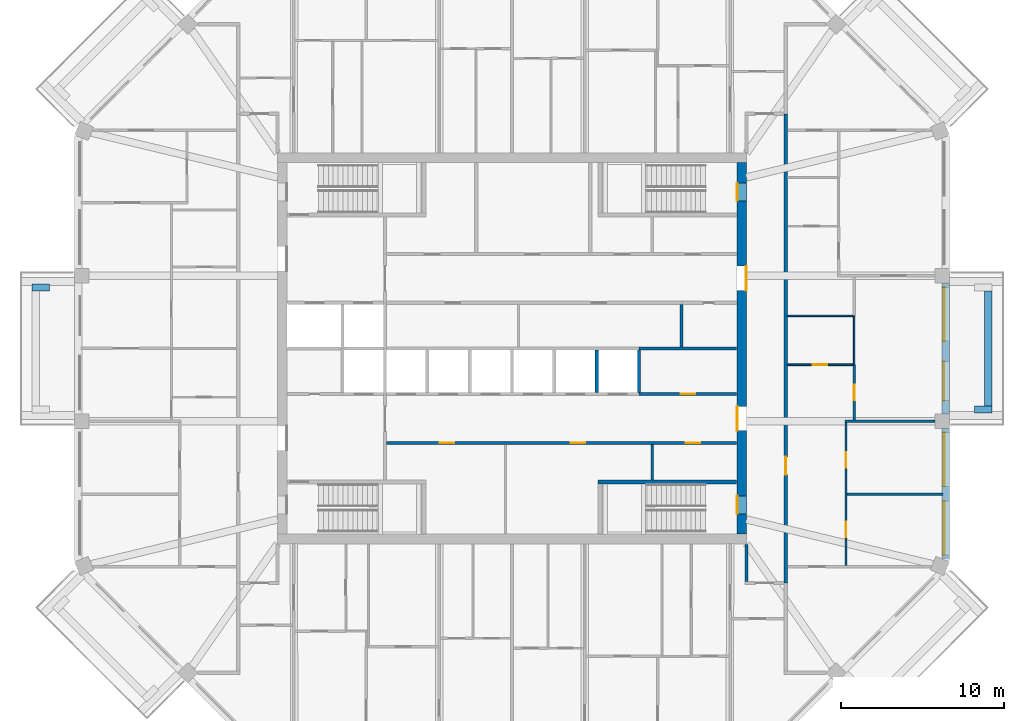
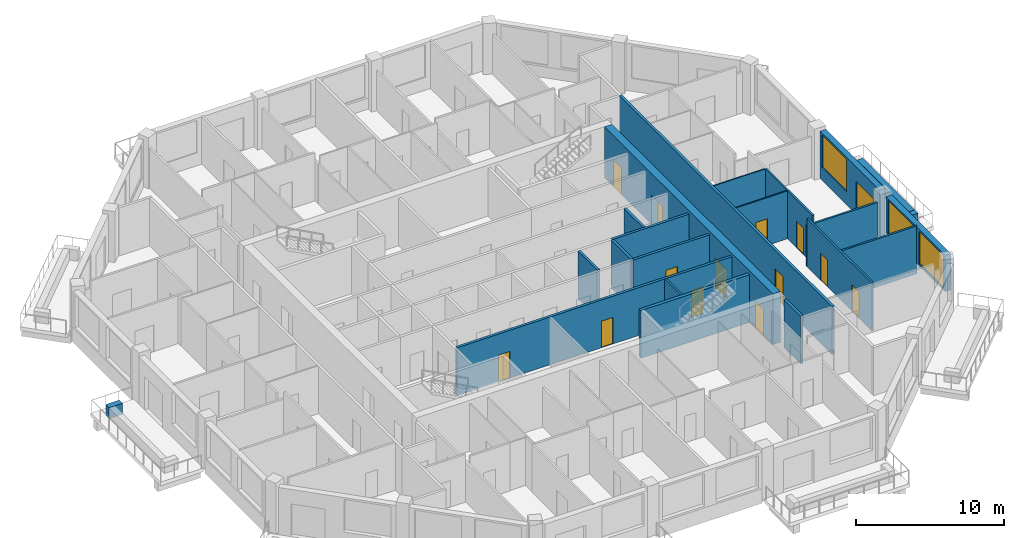
# One storey, part 6 of 13: 23 walls, 14 doors, 3 windows, 17 openings.
"""IFC4 building model written with IfcOpenShell, lengths in metres."""

from ifc_helpers import new_model, si_unit, direction, frame, frame_2d, origin, place, context, subcontext, project, spatial, rectangle, extrude, material, layer, layer_set, type_object, element, fill, save


model = new_model("IFC4")

# Units and contexts
model_context = context("Model", 3, precision=1e-05, world=origin(), true_north=direction((0.0, 1.0)))
body_context = subcontext(model_context, "Body", "Model", "MODEL_VIEW")
ifc_project = project(units=[si_unit("LENGTHUNIT", "METRE"), si_unit("AREAUNIT", "SQUARE_METRE"), si_unit("VOLUMEUNIT", "CUBIC_METRE"), si_unit("PLANEANGLEUNIT", "RADIAN"), si_unit("MASSUNIT", "GRAM", prefix="KILO")], contexts=[model_context])

# Site, building, storey
site_placement = place(None, origin())
site = spatial("IfcSite", under=ifc_project, at=site_placement, CompositionType="ELEMENT")
building_placement = place(site_placement, origin())
building = spatial("IfcBuilding", under=site, at=building_placement, Name="Msitu Wima Residences", CompositionType="ELEMENT")
storey_placement = place(building_placement, frame((0.0, 0.0, 289.5)))
storey = spatial("IfcBuildingStorey", under=building, at=storey_placement, Name="L67", CompositionType="ELEMENT", Elevation=289.5)

# Walls
ifc_material_1 = material(Name="Facing brick")
ifc_layer_1 = layer(ifc_material_1, 0.06494140625, Name="Facing brick")
ifc_material_2 = material(Name="Concrete C40/50", Category="concrete")
ifc_layer_2 = layer(ifc_material_2, 0.156005859375, Name="Concrete C40/50")
ifc_material_3 = material(Name="Waterproofing membrane")
ifc_layer_3 = layer(ifc_material_3, 0.00390625, Name="Waterproofing membrane")
ifc_material_4 = material(Name="Planting soil and planting")
ifc_layer_4 = layer(ifc_material_4, 0.22509765625, Name="Planting soil and planting")
ifc_layer_set_1 = layer_set([ifc_layer_1, ifc_layer_2, ifc_layer_3, ifc_layer_4], Name="Concrete C40/50")
wall_type_1 = type_object("IfcWallType", Name="Balcony planter PLANTER PL450", PredefinedType="USERDEFINED", material=ifc_layer_set_1)
wall_1_placement = place(storey_placement, frame((29.22509765625, -3.5185546875, 0.0), z_axis=(0.0, 0.0, 1.0), x_axis=(0.0, 1.0, 0.0)))
element("IfcWall", 1, at=wall_1_placement, inside=storey, type_object=wall_type_1, Name="Balcony planter E1 L67", ObjectType="PLANTER", PredefinedType="USERDEFINED", context=body_context, shape_type="SweptSolid", body=[
    extrude(rectangle(XDim=7.037109375, YDim=0.449951171875, at=frame_2d((3.5185546875, 0.0))), origin(), (0.0, 0.0, 1.0), 0.89990234375),
])
for number, where, z_axis, x_axis, name in (
    (2, (28.39990234375, -3.74365234375, 0.0), (0.0, 0.0, 1.0), (1.0, 0.0, 0.0), "Balcony planter E1 L67"),
    (3, (-28.39990234375, 3.74365234375, 0.0), (0.0, 0.0, 1.0), (-1.0, 0.0, 0.0), "Balcony planter W1 L67"),
):
    element("IfcWall", number, at=place(storey_placement, frame(where, z_axis=z_axis, x_axis=x_axis)), inside=storey, type_object=wall_type_1, Name=name, ObjectType="PLANTER", PredefinedType="USERDEFINED", context=body_context, shape_type="SweptSolid", body=[
        extrude(rectangle(XDim=1.050048828125, YDim=0.449951171875, at=frame_2d((0.52490234375, 0.0))), origin(), (0.0, 0.0, 1.0), 0.89990234375),
    ])

# Wall, openings, windows
ifc_material_5 = material(Name="Brick (red buff mix)", Category="masonry")
ifc_layer_5 = layer(ifc_material_5, 0.449951171875)
ifc_layer_set_2 = layer_set([ifc_layer_5], Name="Brick (red buff mix)")
wall_type_2 = type_object("IfcWallType", Name="Brick infill wall BW450", PredefinedType="SOLIDWALL", material=ifc_layer_set_2)
wall_2_placement = place(storey_placement, frame((26.625, -12.918701171875, 0.89990234375), z_axis=(0.0, 0.0, 1.0), x_axis=(0.0, 1.0, 0.0)))
wall_2 = element("IfcWall", 4, at=wall_2_placement, inside=storey, type_object=wall_type_2, Name="Brick infill wall L67 E0", PredefinedType="SOLIDWALL", context=body_context, shape_type="SweptSolid", body=[
    extrude(rectangle(XDim=8.0, YDim=0.449951171875, at=frame_2d((4.0, 0.0))), origin(), (0.0, 0.0, 1.0), 3.0),
])
opening_1_placement = place(wall_2_placement, frame((0.25, 0.0, 0.14990234375)))
opening_1 = element("IfcOpeningElement", 5, at=opening_1_placement, cuts=wall_2, Name="Opening W65-67.001", PredefinedType="OPENING", context=body_context, shape_type="SweptSolid", body=[
    extrude(rectangle(XDim=3.300048828125, YDim=2.699951171875, at=frame_2d((1.64990234375, 1.35009765625))), frame((0.0, 0.23486328125, 0.0), z_axis=(0.0, -1.0, 0.0), x_axis=(1.0, 0.0, 0.0)), (0.0, 0.0, 1.0), 0.469970703125),
])
opening_2_placement = place(wall_2_placement, frame((4.4501953125, 0.0, 0.14990234375)))
opening_2 = element("IfcOpeningElement", 6, at=opening_2_placement, cuts=wall_2, Name="Opening W65-67.002", PredefinedType="OPENING", context=body_context, shape_type="SweptSolid", body=[
    extrude(rectangle(XDim=3.300048828125, YDim=2.699951171875, at=frame_2d((1.64990234375, 1.35009765625))), frame((0.0, 0.23486328125, 0.0), z_axis=(0.0, -1.0, 0.0), x_axis=(1.0, 0.0, 0.0)), (0.0, 0.0, 1.0), 0.469970703125),
])
ifc_material_6 = material(Name="Anodised aluminium, bronze finish, clear low-emissivity double glazing", Category="aluminium")
window_type = type_object("IfcWindowType", Name="Window W3300x2700", PartitioningType="DOUBLE_PANEL_VERTICAL", PredefinedType="WINDOW", material=ifc_material_6)
window_1_placement = place(opening_1_placement, origin())
window_1 = element("IfcWindow", 7, at=window_1_placement, inside=storey, type_object=window_type, Name="Window L67 E0.1", OverallHeight=2.699951171875, OverallWidth=3.300048828125, PartitioningType="SINGLE_PANEL", PredefinedType="WINDOW", context=body_context, shape_type="SweptSolid", body=[
    extrude(rectangle(XDim=3.300048828125, YDim=2.699951171875, at=frame_2d((1.64990234375, 1.35009765625))), frame((0.0, 0.135009765625, 0.0), z_axis=(0.0, -1.0, 0.0), x_axis=(1.0, 0.0, 0.0)), (0.0, 0.0, 1.0), 0.06005859375),
])
fill(opening_1, window_1)
window_2_placement = place(opening_2_placement, origin())
window_2 = element("IfcWindow", 8, at=window_2_placement, inside=storey, type_object=window_type, Name="Window L67 E0.2", OverallHeight=2.699951171875, OverallWidth=3.300048828125, PartitioningType="SINGLE_PANEL", PredefinedType="WINDOW", context=body_context, shape_type="SweptSolid", body=[
    extrude(rectangle(XDim=3.300048828125, YDim=2.699951171875, at=frame_2d((1.64990234375, 1.35009765625))), frame((0.0, 0.135009765625, 0.0), z_axis=(0.0, -1.0, 0.0), x_axis=(1.0, 0.0, 0.0)), (0.0, 0.0, 1.0), 0.06005859375),
])
fill(opening_2, window_2)

# Wall, openings, door, window
wall_3_placement = place(storey_placement, frame((26.625, -4.0185546875, 0.0), z_axis=(0.0, 0.0, 1.0), x_axis=(0.0, 1.0, 0.0)))
wall_3 = element("IfcWall", 9, at=wall_3_placement, inside=storey, type_object=wall_type_2, Name="Brick infill wall L67 E1", PredefinedType="SOLIDWALL", context=body_context, shape_type="SweptSolid", body=[
    extrude(rectangle(XDim=8.037109375, YDim=0.449951171875, at=frame_2d((4.0185546875, 0.0))), origin(), (0.0, 0.0, 1.0), 3.89990234375),
])
opening_3_placement = place(wall_3_placement, frame((0.809326171875, 0.0, 0.0)))
opening_3 = element("IfcOpeningElement", 10, at=opening_3_placement, cuts=wall_3, Name="Opening D65-67.001", PredefinedType="OPENING", context=body_context, shape_type="SweptSolid", body=[
    extrude(rectangle(XDim=2.39990234375, YDim=2.699951171875, at=frame_2d((1.199951171875, 1.35009765625))), frame((0.0, 0.23486328125, 0.0), z_axis=(0.0, -1.0, 0.0), x_axis=(1.0, 0.0, 0.0)), (0.0, 0.0, 1.0), 0.469970703125),
])
opening_4_placement = place(wall_3_placement, frame((4.46875, 0.0, 1.050048828125)))
opening_4 = element("IfcOpeningElement", 11, at=opening_4_placement, cuts=wall_3, Name="Opening W65-67.003", PredefinedType="OPENING", context=body_context, shape_type="SweptSolid", body=[
    extrude(rectangle(XDim=3.300048828125, YDim=2.699951171875, at=frame_2d((1.64990234375, 1.35009765625))), frame((0.0, 0.23486328125, 0.0), z_axis=(0.0, -1.0, 0.0), x_axis=(1.0, 0.0, 0.0)), (0.0, 0.0, 1.0), 0.469970703125),
])
door_type_1 = type_object("IfcDoorType", Name="Balcony door D2400x2700", OperationType="SLIDING_TO_LEFT", PredefinedType="DOOR", material=ifc_material_6)
door_1_placement = place(opening_3_placement, origin())
door_1 = element("IfcDoor", 12, at=door_1_placement, inside=storey, type_object=door_type_1, Name="Balcony door L67 E1", OperationType="SINGLE_SWING_LEFT", OverallHeight=2.699951171875, OverallWidth=2.39990234375, PredefinedType="DOOR", context=body_context, shape_type="SweptSolid", body=[
    extrude(rectangle(XDim=2.39990234375, YDim=2.699951171875, at=frame_2d((1.199951171875, 1.35009765625))), frame((0.0, 0.1298828125, 0.0), z_axis=(0.0, -1.0, 0.0), x_axis=(1.0, 0.0, 0.0)), (0.0, 0.0, 1.0), 0.050048828125),
])
fill(opening_3, door_1)
window_3_placement = place(opening_4_placement, origin())
window_3 = element("IfcWindow", 13, at=window_3_placement, inside=storey, type_object=window_type, Name="Window L67 E1.2", OverallHeight=2.699951171875, OverallWidth=3.300048828125, PartitioningType="SINGLE_PANEL", PredefinedType="WINDOW", context=body_context, shape_type="SweptSolid", body=[
    extrude(rectangle(XDim=3.300048828125, YDim=2.699951171875, at=frame_2d((1.64990234375, 1.35009765625))), frame((0.0, 0.135009765625, 0.0), z_axis=(0.0, -1.0, 0.0), x_axis=(1.0, 0.0, 0.0)), (0.0, 0.0, 1.0), 0.06005859375),
])
fill(opening_4, window_3)

# Wall, openings, doors
ifc_material_7 = material(Name="Concrete C50/60", Category="concrete")
ifc_layer_6 = layer(ifc_material_7, 0.60009765625)
ifc_layer_set_3 = layer_set([ifc_layer_6], Name="Concrete C50/60")
wall_type_3 = type_object("IfcWallType", Name="Core wall CW600 C50/60", PredefinedType="SHEAR", material=ifc_layer_set_3)
wall_4_placement = place(storey_placement, frame((14.10009765625, -11.39990234375, 0.0), z_axis=(0.0, 0.0, 1.0), x_axis=(0.0, 1.0, 0.0)))
wall_4 = element("IfcWall", 14, at=wall_4_placement, inside=storey, type_object=wall_type_3, Name="Core wall", PredefinedType="SHEAR", context=body_context, shape_type="SweptSolid", body=[
    extrude(rectangle(XDim=22.7998046875, YDim=0.60009765625, at=frame_2d((11.39990234375, 0.0))), origin(), (0.0, 0.0, 1.0), 4.199951171875),
])
opening_5_placement = place(wall_4_placement, frame((20.449951171875, 0.0, 0.0)))
opening_5 = element("IfcOpeningElement", 15, at=opening_5_placement, cuts=wall_4, Name="Opening D65-67.096", PredefinedType="OPENING", context=body_context, shape_type="SweptSolid", body=[
    extrude(rectangle(XDim=1.10009765625, YDim=2.199951171875, at=frame_2d((0.550048828125, 1.10009765625))), frame((0.0, 0.31005859375, 0.0), z_axis=(0.0, -1.0, 0.0), x_axis=(1.0, 0.0, 0.0)), (0.0, 0.0, 1.0), 0.6201171875),
])
opening_6_placement = place(wall_4_placement, frame((1.25, 0.0, 0.0)))
opening_6 = element("IfcOpeningElement", 16, at=opening_6_placement, cuts=wall_4, Name="Opening D65-67.097", PredefinedType="OPENING", context=body_context, shape_type="SweptSolid", body=[
    extrude(rectangle(XDim=1.10009765625, YDim=2.199951171875, at=frame_2d((0.550048828125, 1.10009765625))), frame((0.0, 0.31005859375, 0.0), z_axis=(0.0, -1.0, 0.0), x_axis=(1.0, 0.0, 0.0)), (0.0, 0.0, 1.0), 0.6201171875),
])
opening_7_placement = place(wall_4_placement, frame((14.949951171875, 0.0, 0.0)))
opening_7 = element("IfcOpeningElement", 17, at=opening_7_placement, cuts=wall_4, Name="Opening D65-67.086", PredefinedType="OPENING", context=body_context, shape_type="SweptSolid", body=[
    extrude(rectangle(XDim=1.5, YDim=2.39990234375, at=frame_2d((0.75, 1.199951171875))), frame((0.0, 0.31005859375, 0.0), z_axis=(0.0, -1.0, 0.0), x_axis=(1.0, 0.0, 0.0)), (0.0, 0.0, 1.0), 0.6201171875),
])
opening_8_placement = place(wall_4_placement, frame((6.35009765625, 0.0, 0.0)))
opening_8 = element("IfcOpeningElement", 18, at=opening_8_placement, cuts=wall_4, Name="Opening D65-67.087", PredefinedType="OPENING", context=body_context, shape_type="SweptSolid", body=[
    extrude(rectangle(XDim=1.5, YDim=2.39990234375, at=frame_2d((0.75, 1.199951171875))), frame((0.0, 0.31005859375, 0.0), z_axis=(0.0, -1.0, 0.0), x_axis=(1.0, 0.0, 0.0)), (0.0, 0.0, 1.0), 0.6201171875),
])
ifc_material_8 = material(Name="Steel framed glazed door, fire resisting", Category="steel")
door_type_2 = type_object("IfcDoorType", Name="Lobby door D07 1500x2400", OperationType="DOUBLE_DOOR_SINGLE_SWING", PredefinedType="DOOR", material=ifc_material_8)
door_2_placement = place(opening_7_placement, origin())
door_2 = element("IfcDoor", 19, at=door_2_placement, inside=storey, type_object=door_type_2, Name="Lobby door", OperationType="DOUBLE_DOOR_SINGLE_SWING", OverallHeight=2.39990234375, OverallWidth=1.5, PredefinedType="DOOR", context=body_context, shape_type="SweptSolid", body=[
    extrude(rectangle(XDim=1.5, YDim=2.39990234375, at=frame_2d((0.75, 1.199951171875))), frame((0.0, -0.2451171875, 0.0), z_axis=(0.0, -1.0, 0.0), x_axis=(1.0, 0.0, 0.0)), (0.0, 0.0, 1.0), 0.050048828125),
])
fill(opening_7, door_2)
door_3_placement = place(opening_8_placement, origin())
door_3 = element("IfcDoor", 20, at=door_3_placement, inside=storey, type_object=door_type_2, Name="Lobby door", OperationType="DOUBLE_DOOR_SINGLE_SWING", OverallHeight=2.39990234375, OverallWidth=1.5, PredefinedType="DOOR", context=body_context, shape_type="SweptSolid", body=[
    extrude(rectangle(XDim=1.5, YDim=2.39990234375, at=frame_2d((0.75, 1.199951171875))), frame((0.0, 0.294921875, 0.0), z_axis=(0.0, -1.0, 0.0), x_axis=(1.0, 0.0, 0.0)), (0.0, 0.0, 1.0), 0.050048828125),
])
fill(opening_8, door_3)
ifc_material_9 = material(Name="Steel door, fire resisting, panic bar", Category="steel")
door_type_3 = type_object("IfcDoorType", Name="Stair door D06 1100x2200", OperationType="SINGLE_SWING_LEFT", PredefinedType="DOOR", material=ifc_material_9)
door_4_placement = place(opening_5_placement, origin())
door_4 = element("IfcDoor", 21, at=door_4_placement, inside=storey, type_object=door_type_3, Name="Stair door", OperationType="SINGLE_SWING_LEFT", OverallHeight=2.199951171875, OverallWidth=1.10009765625, PredefinedType="DOOR", context=body_context, shape_type="SweptSolid", body=[
    extrude(rectangle(XDim=1.10009765625, YDim=2.199951171875, at=frame_2d((0.550048828125, 1.10009765625))), frame((0.0, 0.294921875, 0.0), z_axis=(0.0, -1.0, 0.0), x_axis=(1.0, 0.0, 0.0)), (0.0, 0.0, 1.0), 0.050048828125),
])
fill(opening_5, door_4)
door_5_placement = place(opening_6_placement, origin())
door_5 = element("IfcDoor", 22, at=door_5_placement, inside=storey, type_object=door_type_3, Name="Stair door", OperationType="SINGLE_SWING_RIGHT", OverallHeight=2.199951171875, OverallWidth=1.10009765625, PredefinedType="DOOR", context=body_context, shape_type="SweptSolid", body=[
    extrude(rectangle(XDim=1.10009765625, YDim=2.199951171875, at=frame_2d((0.550048828125, 1.10009765625))), frame((0.0, 0.294921875, 0.0), z_axis=(0.0, -1.0, 0.0), x_axis=(1.0, 0.0, 0.0)), (0.0, 0.0, 1.0), 0.050048828125),
])
fill(opening_6, door_5)

ifc_material_10 = material(Name="Plaster")
ifc_layer_7 = layer(ifc_material_10, 0.011962890625, Name="Plaster")
ifc_material_11 = material(Name="Concrete blockwork", Category="masonry")
ifc_layer_8 = layer(ifc_material_11, 0.176025390625, Name="Concrete blockwork")
ifc_layer_9 = layer(ifc_material_10, 0.011962890625, Name="Plaster")
ifc_layer_set_4 = layer_set([ifc_layer_7, ifc_layer_8, ifc_layer_9], Name="Concrete blockwork")
wall_type_4 = type_object("IfcWallType", Name="Corridor wall FW200", PredefinedType="PARTITIONING", material=ifc_layer_set_4)
wall_5_placement = place(storey_placement, frame((-7.699951171875, -5.800048828125, 0.0), z_axis=(0.0, 0.0, 1.0), x_axis=(1.0, 0.0, 0.0)))
wall_5 = element("IfcWall", 23, at=wall_5_placement, inside=storey, type_object=wall_type_4, Name="Corridor wall", PredefinedType="PARTITIONING", context=body_context, shape_type="SweptSolid", body=[
    extrude(rectangle(XDim=21.469970703125, YDim=0.199951171875, at=frame_2d((10.73486328125, 0.0))), origin(), (0.0, 0.0, 1.0), 3.949951171875),
])
opening_9_placement = place(wall_5_placement, frame((3.25, 0.0, 0.0)))
opening_9 = element("IfcOpeningElement", 24, at=opening_9_placement, cuts=wall_5, Name="Opening D65-67.083", PredefinedType="OPENING", context=body_context, shape_type="SweptSolid", body=[
    extrude(rectangle(XDim=0.89990234375, YDim=2.199951171875, at=frame_2d((0.449951171875, 1.10009765625))), frame((0.0, 0.10986328125, 0.0), z_axis=(0.0, -1.0, 0.0), x_axis=(1.0, 0.0, 0.0)), (0.0, 0.0, 1.0), 0.219970703125),
])
opening_10_placement = place(wall_5_placement, frame((11.300048828125, 0.0, 0.0)))
opening_10 = element("IfcOpeningElement", 25, at=opening_10_placement, cuts=wall_5, Name="Opening D65-67.084", PredefinedType="OPENING", context=body_context, shape_type="SweptSolid", body=[
    extrude(rectangle(XDim=0.89990234375, YDim=2.199951171875, at=frame_2d((0.449951171875, 1.10009765625))), frame((0.0, 0.10986328125, 0.0), z_axis=(0.0, -1.0, 0.0), x_axis=(1.0, 0.0, 0.0)), (0.0, 0.0, 1.0), 0.219970703125),
])
opening_11_placement = place(wall_5_placement, frame((18.35009765625, 0.0, 0.0)))
opening_11 = element("IfcOpeningElement", 26, at=opening_11_placement, cuts=wall_5, Name="Opening D65-67.085", PredefinedType="OPENING", context=body_context, shape_type="SweptSolid", body=[
    extrude(rectangle(XDim=0.89990234375, YDim=2.199951171875, at=frame_2d((0.449951171875, 1.10009765625))), frame((0.0, 0.10986328125, 0.0), z_axis=(0.0, -1.0, 0.0), x_axis=(1.0, 0.0, 0.0)), (0.0, 0.0, 1.0), 0.219970703125),
])
ifc_material_12 = material(Name="Timber flush door", Category="wood")
door_type_4 = type_object("IfcDoorType", Name="Service door D05 900x2200", OperationType="SINGLE_SWING_LEFT", PredefinedType="DOOR", material=ifc_material_12)
door_6_placement = place(opening_9_placement, origin())
door_6 = element("IfcDoor", 27, at=door_6_placement, inside=storey, type_object=door_type_4, Name="Service door", OperationType="SINGLE_SWING_RIGHT", OverallHeight=2.199951171875, OverallWidth=0.89990234375, PredefinedType="DOOR", context=body_context, shape_type="SweptSolid", body=[
    extrude(rectangle(XDim=0.89990234375, YDim=2.199951171875, at=frame_2d((0.449951171875, 1.10009765625))), frame((0.0, 0.02490234375, 0.0), z_axis=(0.0, -1.0, 0.0), x_axis=(1.0, 0.0, 0.0)), (0.0, 0.0, 1.0), 0.050048828125),
])
fill(opening_9, door_6)
door_7_placement = place(opening_10_placement, origin())
door_7 = element("IfcDoor", 28, at=door_7_placement, inside=storey, type_object=door_type_4, Name="Service door", OperationType="SINGLE_SWING_LEFT", OverallHeight=2.199951171875, OverallWidth=0.89990234375, PredefinedType="DOOR", context=body_context, shape_type="SweptSolid", body=[
    extrude(rectangle(XDim=0.89990234375, YDim=2.199951171875, at=frame_2d((0.449951171875, 1.10009765625))), frame((0.0, 0.02490234375, 0.0), z_axis=(0.0, -1.0, 0.0), x_axis=(1.0, 0.0, 0.0)), (0.0, 0.0, 1.0), 0.050048828125),
])
fill(opening_10, door_7)
door_8_placement = place(opening_11_placement, origin())
door_8 = element("IfcDoor", 29, at=door_8_placement, inside=storey, type_object=door_type_4, Name="Service door", OperationType="SINGLE_SWING_RIGHT", OverallHeight=2.199951171875, OverallWidth=0.89990234375, PredefinedType="DOOR", context=body_context, shape_type="SweptSolid", body=[
    extrude(rectangle(XDim=0.89990234375, YDim=2.199951171875, at=frame_2d((0.449951171875, 1.10009765625))), frame((0.0, 0.02490234375, 0.0), z_axis=(0.0, -1.0, 0.0), x_axis=(1.0, 0.0, 0.0)), (0.0, 0.0, 1.0), 0.050048828125),
])
fill(opening_11, door_8)

# Wall
wall_6_placement = place(storey_placement, frame((14.39990234375, -14.300048828125, 0.0), z_axis=(0.0, 0.0, 1.0), x_axis=(0.0, 1.0, 0.0)))
element("IfcWall", 30, at=wall_6_placement, inside=storey, type_object=wall_type_4, Name="Corridor wall", PredefinedType="PARTITIONING", context=body_context, shape_type="SweptSolid", body=[
    extrude(rectangle(XDim=2.27001953125, YDim=0.199951171875, at=frame_2d((1.135009765625, 0.0))), origin(), (0.0, 0.0, 1.0), 3.949951171875),
])

# Wall, opening, door
wall_7_placement = place(storey_placement, frame((16.800048828125, -14.39990234375, 0.0), z_axis=(0.0, 0.0, 1.0), x_axis=(0.0, 1.0, 0.0)))
wall_7 = element("IfcWall", 31, at=wall_7_placement, inside=storey, type_object=wall_type_4, Name="Corridor wall", PredefinedType="PARTITIONING", context=body_context, shape_type="SweptSolid", body=[
    extrude(rectangle(XDim=28.7998046875, YDim=0.199951171875, at=frame_2d((14.39990234375, 0.0))), origin(), (0.0, 0.0, 1.0), 3.949951171875),
])
opening_12_placement = place(wall_7_placement, frame((6.64990234375, 0.0, 0.0)))
opening_12 = element("IfcOpeningElement", 32, at=opening_12_placement, cuts=wall_7, Name="Opening D65-67.011", PredefinedType="OPENING", context=body_context, shape_type="SweptSolid", body=[
    extrude(rectangle(XDim=1.10009765625, YDim=2.39990234375, at=frame_2d((0.550048828125, 1.199951171875))), frame((0.0, 0.10986328125, 0.0), z_axis=(0.0, -1.0, 0.0), x_axis=(1.0, 0.0, 0.0)), (0.0, 0.0, 1.0), 0.219970703125),
])
ifc_material_13 = material(Name="Timber flush door, fire resisting, self-closing", Category="wood")
door_type_5 = type_object("IfcDoorType", Name="Flat entrance door D01 1100x2400", OperationType="SINGLE_SWING_LEFT", PredefinedType="DOOR", material=ifc_material_13)
door_9_placement = place(opening_12_placement, origin())
door_9 = element("IfcDoor", 33, at=door_9_placement, inside=storey, type_object=door_type_5, Name="Flat entrance door", OperationType="SINGLE_SWING_RIGHT", OverallHeight=2.39990234375, OverallWidth=1.10009765625, PredefinedType="DOOR", context=body_context, shape_type="SweptSolid", body=[
    extrude(rectangle(XDim=1.10009765625, YDim=2.39990234375, at=frame_2d((0.550048828125, 1.199951171875))), frame((0.0, 0.02490234375, 0.0), z_axis=(0.0, -1.0, 0.0), x_axis=(1.0, 0.0, 0.0)), (0.0, 0.0, 1.0), 0.050048828125),
])
fill(opening_12, door_9)

# Wall
ifc_layer_10 = layer(ifc_material_10, 0.011962890625, Name="Plaster")
ifc_layer_11 = layer(ifc_material_11, 0.1259765625, Name="Concrete blockwork")
ifc_layer_12 = layer(ifc_material_10, 0.011962890625, Name="Plaster")
ifc_layer_set_5 = layer_set([ifc_layer_10, ifc_layer_11, ifc_layer_12], Name="Concrete blockwork")
wall_type_5 = type_object("IfcWallType", Name="Partition PW150", PredefinedType="PARTITIONING", material=ifc_layer_set_5)
wall_8_placement = place(storey_placement, frame((8.60009765625, -8.074951171875, 0.0), z_axis=(0.0, 0.0, 1.0), x_axis=(0.0, 1.0, 0.0)))
element("IfcWall", 34, at=wall_8_placement, inside=storey, type_object=wall_type_5, Name="Partition", PredefinedType="PARTITIONING", context=body_context, shape_type="SweptSolid", body=[
    extrude(rectangle(XDim=2.175048828125, YDim=0.14990234375, at=frame_2d((1.08740234375, 0.0))), origin(), (0.0, 0.0, 1.0), 3.949951171875),
])

# Wall, openings, doors
wall_9_placement = place(storey_placement, frame((20.5, -13.330810546875, 0.0), z_axis=(0.0, 0.0, 1.0), x_axis=(0.0, 1.0, 0.0)))
wall_9 = element("IfcWall", 35, at=wall_9_placement, inside=storey, type_object=wall_type_5, Name="Partition", PredefinedType="PARTITIONING", context=body_context, shape_type="SweptSolid", body=[
    extrude(rectangle(XDim=8.787109375, YDim=0.14990234375, at=frame_2d((4.3935546875, 0.0))), origin(), (0.0, 0.0, 1.0), 3.949951171875),
])
opening_13_placement = place(wall_9_placement, frame((1.75, 0.0, 0.0)))
opening_13 = element("IfcOpeningElement", 36, at=opening_13_placement, cuts=wall_9, Name="Opening D65-67.015", PredefinedType="OPENING", context=body_context, shape_type="SweptSolid", body=[
    extrude(rectangle(XDim=0.949951171875, YDim=2.199951171875, at=frame_2d((0.47509765625, 1.10009765625))), frame((0.0, 0.0849609375, 0.0), z_axis=(0.0, -1.0, 0.0), x_axis=(1.0, 0.0, 0.0)), (0.0, 0.0, 1.0), 0.169921875),
])
opening_14_placement = place(wall_9_placement, frame((6.0, 0.0, 0.0)))
opening_14 = element("IfcOpeningElement", 37, at=opening_14_placement, cuts=wall_9, Name="Opening D65-67.016", PredefinedType="OPENING", context=body_context, shape_type="SweptSolid", body=[
    extrude(rectangle(XDim=0.949951171875, YDim=2.199951171875, at=frame_2d((0.47509765625, 1.10009765625))), frame((0.0, 0.0849609375, 0.0), z_axis=(0.0, -1.0, 0.0), x_axis=(1.0, 0.0, 0.0)), (0.0, 0.0, 1.0), 0.169921875),
])
door_type_6 = type_object("IfcDoorType", Name="Room door D12 950x2200", OperationType="SINGLE_SWING_LEFT", PredefinedType="DOOR", material=ifc_material_12)
door_10_placement = place(opening_13_placement, origin())
door_10 = element("IfcDoor", 38, at=door_10_placement, inside=storey, type_object=door_type_6, Name="Room door", OperationType="SINGLE_SWING_LEFT", OverallHeight=2.199951171875, OverallWidth=0.949951171875, PredefinedType="DOOR", context=body_context, shape_type="SweptSolid", body=[
    extrude(rectangle(XDim=0.949951171875, YDim=2.199951171875, at=frame_2d((0.47509765625, 1.10009765625))), frame((0.0, 0.02490234375, 0.0), z_axis=(0.0, -1.0, 0.0), x_axis=(1.0, 0.0, 0.0)), (0.0, 0.0, 1.0), 0.050048828125),
])
fill(opening_13, door_10)
door_11_placement = place(opening_14_placement, origin())
door_11 = element("IfcDoor", 39, at=door_11_placement, inside=storey, type_object=door_type_6, Name="Room door", OperationType="SINGLE_SWING_RIGHT", OverallHeight=2.199951171875, OverallWidth=0.949951171875, PredefinedType="DOOR", context=body_context, shape_type="SweptSolid", body=[
    extrude(rectangle(XDim=0.949951171875, YDim=2.199951171875, at=frame_2d((0.47509765625, 1.10009765625))), frame((0.0, 0.02490234375, 0.0), z_axis=(0.0, -1.0, 0.0), x_axis=(1.0, 0.0, 0.0)), (0.0, 0.0, 1.0), 0.050048828125),
])
fill(opening_14, door_11)

# Walls
wall_10_placement = place(storey_placement, frame((20.574951171875, -8.937255859375, 0.0), z_axis=(0.0, 0.0, 1.0), x_axis=(1.0, 0.0, 0.0)))
element("IfcWall", 40, at=wall_10_placement, inside=storey, type_object=wall_type_5, Name="Partition", PredefinedType="PARTITIONING", context=body_context, shape_type="SweptSolid", body=[
    extrude(rectangle(XDim=5.880126953125, YDim=0.14990234375, at=frame_2d((2.93994140625, 0.0))), origin(), (0.0, 0.0, 1.0), 3.949951171875),
])
wall_11_placement = place(storey_placement, frame((20.425048828125, -4.46875, 0.0), z_axis=(0.0, 0.0, 1.0), x_axis=(1.0, 0.0, 0.0)))
element("IfcWall", 41, at=wall_11_placement, inside=storey, type_object=wall_type_5, Name="Partition", PredefinedType="PARTITIONING", context=body_context, shape_type="SweptSolid", body=[
    extrude(rectangle(XDim=5.52490234375, YDim=0.14990234375, at=frame_2d((2.762451171875, 0.0))), origin(), (0.0, 0.0, 1.0), 3.35009765625),
])

# Wall, opening, door
wall_12_placement = place(storey_placement, frame((21.0, -4.3935546875, 0.0), z_axis=(0.0, 0.0, 1.0), x_axis=(0.0, 1.0, 0.0)))
wall_12 = element("IfcWall", 42, at=wall_12_placement, inside=storey, type_object=wall_type_5, Name="Partition", PredefinedType="PARTITIONING", context=body_context, shape_type="SweptSolid", body=[
    extrude(rectangle(XDim=3.3935546875, YDim=0.14990234375, at=frame_2d((1.69677734375, 0.0))), origin(), (0.0, 0.0, 1.0), 3.949951171875),
])
opening_15_placement = place(wall_12_placement, frame((1.199951171875, 0.0, 0.0)))
opening_15 = element("IfcOpeningElement", 43, at=opening_15_placement, cuts=wall_12, Name="Opening D65-67.017", PredefinedType="OPENING", context=body_context, shape_type="SweptSolid", body=[
    extrude(rectangle(XDim=0.949951171875, YDim=2.199951171875, at=frame_2d((0.47509765625, 1.10009765625))), frame((0.0, 0.0849609375, 0.0), z_axis=(0.0, -1.0, 0.0), x_axis=(1.0, 0.0, 0.0)), (0.0, 0.0, 1.0), 0.169921875),
])
door_12_placement = place(opening_15_placement, origin())
door_12 = element("IfcDoor", 44, at=door_12_placement, inside=storey, type_object=door_type_6, Name="Room door", OperationType="SINGLE_SWING_RIGHT", OverallHeight=2.199951171875, OverallWidth=0.949951171875, PredefinedType="DOOR", context=body_context, shape_type="SweptSolid", body=[
    extrude(rectangle(XDim=0.949951171875, YDim=2.199951171875, at=frame_2d((0.47509765625, 1.10009765625))), frame((0.0, 0.02490234375, 0.0), z_axis=(0.0, -1.0, 0.0), x_axis=(1.0, 0.0, 0.0)), (0.0, 0.0, 1.0), 0.050048828125),
])
fill(opening_15, door_12)

ifc_layer_13 = layer(ifc_material_10, 0.011962890625, Name="Plaster")
ifc_material_14 = material(Name="Reinforced concrete blockwork", Category="masonry")
ifc_layer_14 = layer(ifc_material_14, 0.176025390625, Name="Reinforced concrete blockwork")
ifc_layer_15 = layer(ifc_material_10, 0.011962890625, Name="Plaster")
ifc_layer_set_6 = layer_set([ifc_layer_13, ifc_layer_14, ifc_layer_15], Name="Reinforced concrete blockwork")
wall_type_6 = type_object("IfcWallType", Name="Plant and riser wall PL200", PredefinedType="PARTITIONING", material=ifc_layer_set_6)
wall_13_placement = place(storey_placement, frame((7.800048828125, -2.800048828125, 0.0), z_axis=(0.0, 0.0, 1.0), x_axis=(1.0, 0.0, 0.0)))
wall_13 = element("IfcWall", 45, at=wall_13_placement, inside=storey, type_object=wall_type_6, Name="Plant and riser wall", PredefinedType="PARTITIONING", context=body_context, shape_type="SweptSolid", body=[
    extrude(rectangle(XDim=5.969970703125, YDim=0.199951171875, at=frame_2d((2.98486328125, 0.0))), origin(), (0.0, 0.0, 1.0), 3.949951171875),
])
opening_16_placement = place(wall_13_placement, frame((2.550048828125, 0.0, 0.0)))
opening_16 = element("IfcOpeningElement", 46, at=opening_16_placement, cuts=wall_13, Name="Opening D65-67.074", PredefinedType="OPENING", context=body_context, shape_type="SweptSolid", body=[
    extrude(rectangle(XDim=0.89990234375, YDim=2.199951171875, at=frame_2d((0.449951171875, 1.10009765625))), frame((0.0, 0.10986328125, 0.0), z_axis=(0.0, -1.0, 0.0), x_axis=(1.0, 0.0, 0.0)), (0.0, 0.0, 1.0), 0.219970703125),
])
door_13_placement = place(opening_16_placement, origin())
door_13 = element("IfcDoor", 47, at=door_13_placement, inside=storey, type_object=door_type_4, Name="Service door", OperationType="SINGLE_SWING_LEFT", OverallHeight=2.199951171875, OverallWidth=0.89990234375, PredefinedType="DOOR", context=body_context, shape_type="SweptSolid", body=[
    extrude(rectangle(XDim=0.89990234375, YDim=2.199951171875, at=frame_2d((0.449951171875, 1.10009765625))), frame((0.0, 0.02490234375, 0.0), z_axis=(0.0, -1.0, 0.0), x_axis=(1.0, 0.0, 0.0)), (0.0, 0.0, 1.0), 0.050048828125),
])
fill(opening_16, door_13)

# Walls
wall_14_placement = place(storey_placement, frame((7.800048828125, 0.0, 0.0), z_axis=(0.0, 0.0, 1.0), x_axis=(1.0, 0.0, 0.0)))
element("IfcWall", 48, at=wall_14_placement, inside=storey, type_object=wall_type_6, Name="Plant and riser wall", PredefinedType="PARTITIONING", context=body_context, shape_type="SweptSolid", body=[
    extrude(rectangle(XDim=5.969970703125, YDim=0.199951171875, at=frame_2d((2.98486328125, 0.0))), origin(), (0.0, 0.0, 1.0), 3.949951171875),
])
wall_15_placement = place(storey_placement, frame((10.39990234375, 0.10009765625, 0.0), z_axis=(0.0, 0.0, 1.0), x_axis=(0.0, 1.0, 0.0)))
element("IfcWall", 49, at=wall_15_placement, inside=storey, type_object=wall_type_6, Name="Plant and riser wall", PredefinedType="PARTITIONING", context=body_context, shape_type="SweptSolid", body=[
    extrude(rectangle(XDim=2.599853515625, YDim=0.199951171875, at=frame_2d((1.2998046875, 0.0))), origin(), (0.0, 0.0, 1.0), 3.949951171875),
])
ifc_material_15 = material(Name="Fire-rated board")
ifc_layer_16 = layer(ifc_material_15, 0.02490234375, Name="Fire-rated board")
ifc_material_16 = material(Name="Light-gauge stud framing with mineral wool")
ifc_layer_17 = layer(ifc_material_16, 0.14990234375, Name="Light-gauge stud framing with mineral wool")
ifc_layer_18 = layer(ifc_material_15, 0.02490234375, Name="Fire-rated board")
ifc_layer_set_7 = layer_set([ifc_layer_16, ifc_layer_17, ifc_layer_18], Name="Light-gauge stud framing with mineral wool")
wall_type_7 = type_object("IfcWallType", Name="Shaft wall SH200", PredefinedType="PARTITIONING", material=ifc_layer_set_7)
for number, where, z_axis, x_axis, name in (
    (50, (5.199951171875, -2.699951171875, 0.0), (0.0, 0.0, 1.0), (0.0, 1.0, 0.0), "Shaft wall"),
    (51, (7.800048828125, -2.699951171875, 0.0), (0.0, 0.0, 1.0), (0.0, 1.0, 0.0), "Shaft wall"),
):
    element("IfcWall", number, at=place(storey_placement, frame(where, z_axis=z_axis, x_axis=x_axis)), inside=storey, type_object=wall_type_7, Name=name, PredefinedType="PARTITIONING", context=body_context, shape_type="SweptSolid", body=[
        extrude(rectangle(XDim=2.599853515625, YDim=0.199951171875, at=frame_2d((1.2998046875, 0.0))), origin(), (0.0, 0.0, 1.0), 3.949951171875),
    ])
ifc_layer_19 = layer(ifc_material_7, 0.25)
ifc_layer_set_8 = layer_set([ifc_layer_19], Name="Concrete C50/60")
wall_type_8 = type_object("IfcWallType", Name="Stair enclosure wall SW250", PredefinedType="SHEAR", material=ifc_layer_set_8)
wall_16_placement = place(storey_placement, frame((5.27490234375, -8.199951171875, 0.0), z_axis=(0.0, 0.0, 1.0), x_axis=(1.0, 0.0, 0.0)))
element("IfcWall", 52, at=wall_16_placement, inside=storey, type_object=wall_type_8, Name="Stair enclosure wall", PredefinedType="SHEAR", context=body_context, shape_type="SweptSolid", body=[
    extrude(rectangle(XDim=8.4951171875, YDim=0.25, at=frame_2d((4.24755859375, 0.0))), origin(), (0.0, 0.0, 1.0), 3.949951171875),
])

# Wall, opening, door
ifc_material_17 = material(Name="Ceramic tiles")
ifc_layer_20 = layer(ifc_material_17, 0.008056640625, Name="Ceramic tiles")
ifc_material_18 = material(Name="Moisture-resistant board")
ifc_layer_21 = layer(ifc_material_18, 0.012451171875, Name="Moisture-resistant board")
ifc_layer_22 = layer(ifc_material_16, 0.06689453125, Name="Light-gauge stud framing with mineral wool")
ifc_layer_23 = layer(ifc_material_18, 0.012451171875, Name="Moisture-resistant board")
ifc_layer_set_9 = layer_set([ifc_layer_20, ifc_layer_21, ifc_layer_22, ifc_layer_23], Name="Light-gauge stud framing with mineral wool")
wall_type_9 = type_object("IfcWallType", Name="Wet wall PW100", PredefinedType="PARTITIONING", material=ifc_layer_set_9)
wall_17_placement = place(storey_placement, frame((16.89990234375, -1.0, 0.0), z_axis=(0.0, 0.0, 1.0), x_axis=(1.0, 0.0, 0.0)))
wall_17 = element("IfcWall", 53, at=wall_17_placement, inside=storey, type_object=wall_type_9, Name="Wet wall", PredefinedType="PARTITIONING", context=body_context, shape_type="SweptSolid", body=[
    extrude(rectangle(XDim=4.050048828125, YDim=0.10009765625, at=frame_2d((2.02490234375, 0.0))), origin(), (0.0, 0.0, 1.0), 3.949951171875),
])
opening_17_placement = place(wall_17_placement, frame((1.550048828125, 0.0, 0.0)))
opening_17 = element("IfcOpeningElement", 54, at=opening_17_placement, cuts=wall_17, Name="Opening D65-67.014", PredefinedType="OPENING", context=body_context, shape_type="SweptSolid", body=[
    extrude(rectangle(XDim=0.89990234375, YDim=2.199951171875, at=frame_2d((0.449951171875, 1.10009765625))), frame((0.0, 0.06005859375, 0.0), z_axis=(0.0, -1.0, 0.0), x_axis=(1.0, 0.0, 0.0)), (0.0, 0.0, 1.0), 0.1201171875),
])
ifc_material_19 = material(Name="Timber flush door, moisture resistant", Category="wood")
door_type_7 = type_object("IfcDoorType", Name="Bathroom door D03 900x2200", OperationType="SINGLE_SWING_LEFT", PredefinedType="DOOR", material=ifc_material_19)
door_14_placement = place(opening_17_placement, origin())
door_14 = element("IfcDoor", 55, at=door_14_placement, inside=storey, type_object=door_type_7, Name="Bathroom door", OperationType="SINGLE_SWING_LEFT", OverallHeight=2.199951171875, OverallWidth=0.89990234375, PredefinedType="DOOR", context=body_context, shape_type="SweptSolid", body=[
    extrude(rectangle(XDim=0.89990234375, YDim=2.199951171875, at=frame_2d((0.449951171875, 1.10009765625))), frame((0.0, 0.02490234375, 0.0), z_axis=(0.0, -1.0, 0.0), x_axis=(1.0, 0.0, 0.0)), (0.0, 0.0, 1.0), 0.050048828125),
])
fill(opening_17, door_14)

# Walls
wall_18_placement = place(storey_placement, frame((16.89990234375, 2.0, 0.0), z_axis=(0.0, 0.0, 1.0), x_axis=(1.0, 0.0, 0.0)))
element("IfcWall", 56, at=wall_18_placement, inside=storey, type_object=wall_type_9, Name="Wet wall", PredefinedType="PARTITIONING", context=body_context, shape_type="SweptSolid", body=[
    extrude(rectangle(XDim=4.025146484375, YDim=0.10009765625, at=frame_2d((2.0126953125, 0.0))), origin(), (0.0, 0.0, 1.0), 3.949951171875),
])
wall_19_placement = place(storey_placement, frame((21.0, -1.0, 0.0), z_axis=(0.0, 0.0, 1.0), x_axis=(0.0, 1.0, 0.0)))
element("IfcWall", 57, at=wall_19_placement, inside=storey, type_object=wall_type_9, Name="Wet wall", PredefinedType="PARTITIONING", context=body_context, shape_type="SweptSolid", body=[
    extrude(rectangle(XDim=3.0, YDim=0.10009765625, at=frame_2d((1.5, 0.0))), origin(), (0.0, 0.0, 1.0), 3.949951171875),
])

save(model, "model.ifc")
